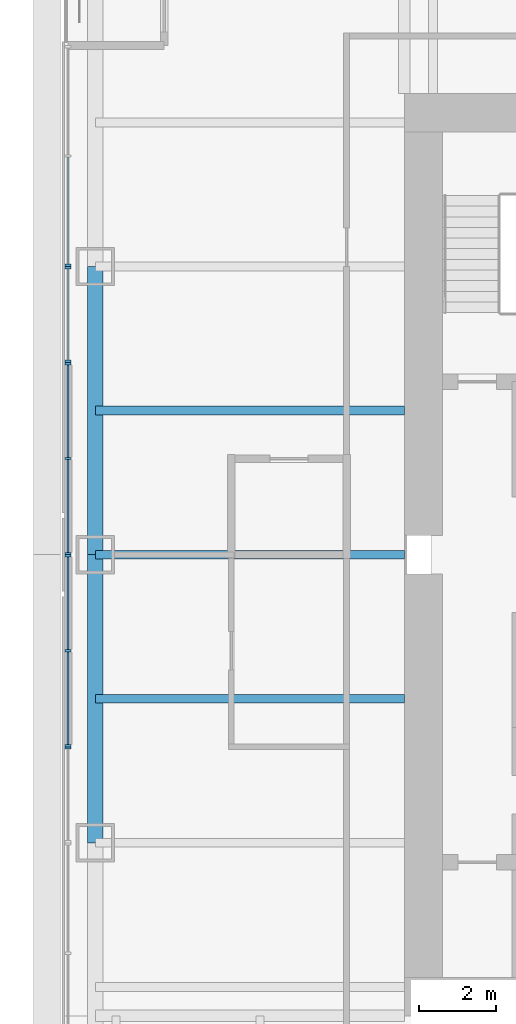
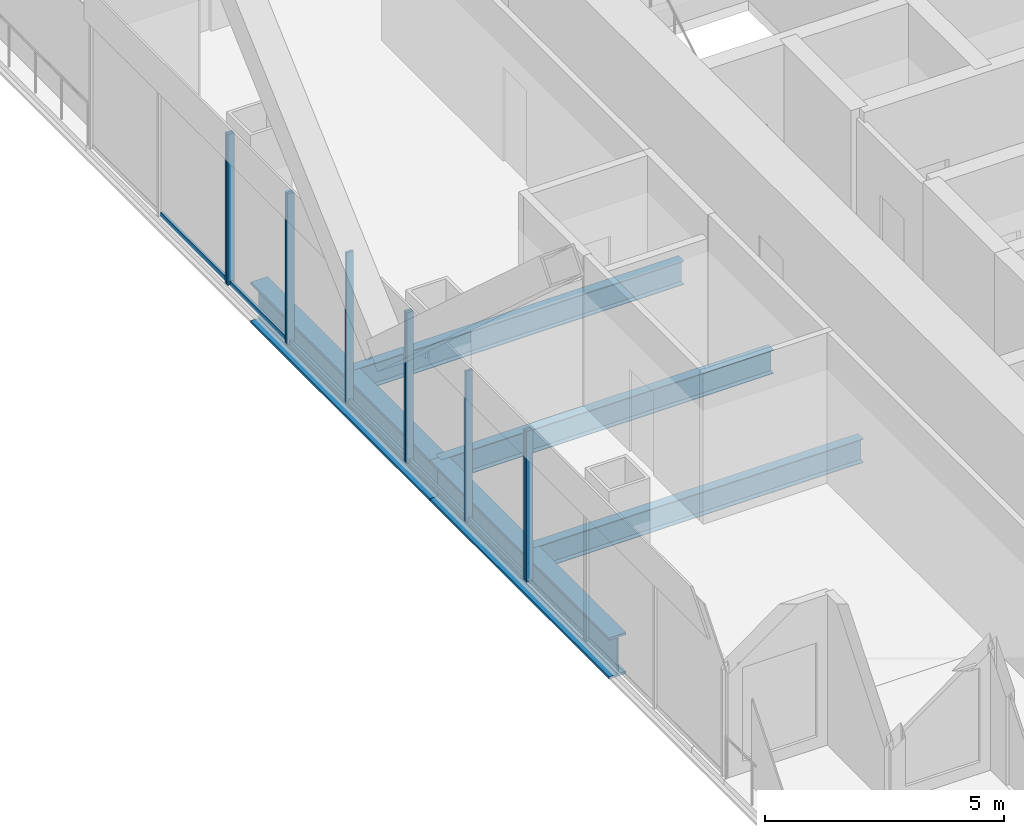
# One storey, part 5 of 19: 16 members, 5 beams, 5 elements without a shape of their own.
"""IFC4 building model written with IfcOpenShell, lengths in metres."""

from ifc_helpers import new_model, si_unit, direction, frame, origin, origin_2d, place, context, subcontext, project, spatial, rectangle, i_section, extrude, material, material_profile, profile_set, type_object, element, aggregate, save


model = new_model("IFC4")

# Units and contexts
model_context = context("Model", 3, precision=1e-05, world=origin(), true_north=direction((0.0, 1.0)))
body_context = subcontext(model_context, "Body", "Model", "MODEL_VIEW")
ifc_project = project(units=[si_unit("LENGTHUNIT", "METRE"), si_unit("AREAUNIT", "SQUARE_METRE"), si_unit("VOLUMEUNIT", "CUBIC_METRE"), si_unit("PLANEANGLEUNIT", "RADIAN"), si_unit("MASSUNIT", "GRAM", prefix="KILO")], contexts=[model_context])

# Site, building, storey
site_placement = place(None, origin())
site = spatial("IfcSite", under=ifc_project, at=site_placement, CompositionType="ELEMENT")
building_placement = place(site_placement, origin())
building = spatial("IfcBuilding", under=site, at=building_placement, Name="Tarangal Relay Tower", CompositionType="ELEMENT")
storey_placement = place(building_placement, frame((0.0, 0.0, 275.89990234375)))
storey = spatial("IfcBuildingStorey", under=building, at=storey_placement, Name="L60", CompositionType="ELEMENT", Elevation=275.89990234375)

# Beams
ifc_material_1 = material(Name="Steel ASTM A992", Category="steel")
ifc_material_profile_1 = material_profile(ifc_material_1, i_section(OverallWidth=0.41162109375, OverallDepth=1.049072265625, WebThickness=0.033935546875, FlangeThickness=0.059814453125, at=origin_2d()), Name="W40X431")
ifc_profile_set_1 = profile_set([ifc_material_profile_1], Name="Steel ASTM A992")
beam_type_1 = type_object("IfcBeamType", Name="Edge girder W40X431", PredefinedType="SPANDREL", material=ifc_profile_set_1)
for number, where, z_axis, x_axis, name in (
    (1, (-20.0400390625, -7.5, -0.67431640625), (0.0, 1.0, 0.0), (-1.0, 0.0, 0.0), "Edge girder EG1 W L60"),
    (2, (-20.0400390625, 0.0, -0.67431640625), (0.0, 1.0, 0.0), (-1.0, 0.0, 0.0), "Edge girder EG1 W L60"),
):
    element("IfcBeam", number, at=place(storey_placement, frame(where, z_axis=z_axis, x_axis=x_axis)), inside=storey, type_object=beam_type_1, Name=name, PredefinedType="SPANDREL", context=body_context, shape_type="SweptSolid", body=[
        extrude(i_section(OverallWidth=0.41162109375, OverallDepth=1.049072265625, WebThickness=0.033935546875, FlangeThickness=0.059814453125, at=origin_2d()), origin(), (0.0, 0.0, 1.0), 7.5),
    ])
ifc_material_profile_2 = material_profile(ifc_material_1, i_section(OverallWidth=0.228271484375, OverallDepth=0.607177734375, WebThickness=0.01123046875, FlangeThickness=0.017333984375, at=origin_2d()), Name="W24X76")
ifc_profile_set_2 = profile_set([ifc_material_profile_2], Name="Steel ASTM A992")
beam_type_2 = type_object("IfcBeamType", Name="Floor beam W24X76", PredefinedType="BEAM", material=ifc_profile_set_2)
for number, where, z_axis, x_axis, name in (
    (3, (-12.0, -3.75, -0.453369140625), (-1.0, 0.0, 0.0), (0.0, -1.0, 0.0), "Floor beam RB5 W L60"),
    (4, (-12.0, 0.0, -0.453369140625), (-1.0, 0.0, 0.0), (0.0, -1.0, 0.0), "Floor beam RB5 W L60"),
    (5, (-12.0, 3.75, -0.453369140625), (-1.0, 0.0, 0.0), (0.0, -1.0, 0.0), "Floor beam RB5 W L60"),
):
    element("IfcBeam", number, at=place(storey_placement, frame(where, z_axis=z_axis, x_axis=x_axis)), inside=storey, type_object=beam_type_2, Name=name, PredefinedType="BEAM", context=body_context, shape_type="SweptSolid", body=[
        extrude(i_section(OverallWidth=0.228271484375, OverallDepth=0.607177734375, WebThickness=0.01123046875, FlangeThickness=0.017333984375, at=origin_2d()), origin(), (0.0, 0.0, 1.0), 8.0400390625),
    ])

# Curtain wall, member
ifc_material_2 = material(Name="Unitised curtain wall, dark glass and black aluminium", Category="aluminium")
curtain_wall_type_1 = type_object("IfcCurtainWallType", Name="Curtain wall CW-B", PredefinedType="USERDEFINED", material=ifc_material_2)
curtain_wall_1_placement = place(storey_placement, origin())
curtain_wall_1 = element("IfcCurtainWall", 6, at=curtain_wall_1_placement, inside=storey, type_object=curtain_wall_type_1, Name="Curtain wall CW-B W facade L60", ObjectType="UNITISED CURTAIN WALL", PredefinedType="USERDEFINED")
ifc_material_3 = material(Name="Black anodised aluminium mullion", Category="aluminium")
ifc_material_profile_3 = material_profile(ifc_material_3, rectangle(XDim=0.159912109375, YDim=0.06005859375, at=origin_2d()), Name="CW-BM 60X160")
ifc_profile_set_3 = profile_set([ifc_material_profile_3], Name="Black anodised aluminium mullion")
member_type_1 = type_object("IfcMemberType", Name="Mullion CW-B 60 x 160", PredefinedType="MULLION", material=ifc_profile_set_3)
member_1_placement = place(storey_placement, frame((-20.75, -5.030029296875, 0.0), z_axis=(0.0, 0.0, 1.0), x_axis=(-1.0, 0.0, 0.0)))
member_1 = element("IfcMember", 7, at=member_1_placement, type_object=member_type_1, Name="CW-B mullion 2", PredefinedType="MULLION", context=body_context, shape_type="SweptSolid", body=[
    extrude(rectangle(XDim=0.159912109375, YDim=0.06005859375, at=origin_2d()), origin(), (0.0, 0.0, 1.0), 3.85009765625),
])
aggregate(curtain_wall_1, [member_1])

# Curtain wall, members
curtain_wall_2_placement = place(storey_placement, origin())
curtain_wall_2 = element("IfcCurtainWall", 8, at=curtain_wall_2_placement, inside=storey, type_object=curtain_wall_type_1, Name="Curtain wall CW-B W facade L60", ObjectType="UNITISED CURTAIN WALL", PredefinedType="USERDEFINED")
member_2_placement = place(storey_placement, frame((-20.75, 5.030029296875, 0.0), z_axis=(0.0, 0.0, 1.0), x_axis=(-1.0, 0.0, 0.0)))
member_2 = element("IfcMember", 9, at=member_2_placement, type_object=member_type_1, Name="CW-B mullion 1", PredefinedType="MULLION", context=body_context, shape_type="SweptSolid", body=[
    extrude(rectangle(XDim=0.159912109375, YDim=0.06005859375, at=origin_2d()), origin(), (0.0, 0.0, 1.0), 3.85009765625),
])
member_3_placement = place(storey_placement, frame((-20.75, 7.469970703125, 0.0), z_axis=(0.0, 0.0, 1.0), x_axis=(-1.0, 0.0, 0.0)))
member_3 = element("IfcMember", 10, at=member_3_placement, type_object=member_type_1, Name="CW-B mullion 2", PredefinedType="MULLION", context=body_context, shape_type="SweptSolid", body=[
    extrude(rectangle(XDim=0.159912109375, YDim=0.06005859375, at=origin_2d()), origin(), (0.0, 0.0, 1.0), 3.85009765625),
])

# Curtain wall, member
curtain_wall_3_placement = place(storey_placement, origin())
curtain_wall_3 = element("IfcCurtainWall", 11, at=curtain_wall_3_placement, inside=storey, type_object=curtain_wall_type_1, Name="Curtain wall CW-B W facade L60", ObjectType="UNITISED CURTAIN WALL", PredefinedType="USERDEFINED")
member_4_placement = place(storey_placement, frame((-20.75, 7.530029296875, 0.0), z_axis=(0.0, 0.0, 1.0), x_axis=(-1.0, 0.0, 0.0)))
member_4 = element("IfcMember", 12, at=member_4_placement, type_object=member_type_1, Name="CW-B mullion 1", PredefinedType="MULLION", context=body_context, shape_type="SweptSolid", body=[
    extrude(rectangle(XDim=0.159912109375, YDim=0.06005859375, at=origin_2d()), origin(), (0.0, 0.0, 1.0), 3.85009765625),
])

# Curtain wall, members
ifc_material_4 = material(Name="Unitised curtain wall frame, black aluminium, with metal clad infill walls", Category="aluminium")
curtain_wall_type_2 = type_object("IfcCurtainWallType", Name="Curtain wall CW-BO", PredefinedType="USERDEFINED", material=ifc_material_4)
curtain_wall_4_placement = place(storey_placement, origin())
curtain_wall_4 = element("IfcCurtainWall", 13, at=curtain_wall_4_placement, inside=storey, type_object=curtain_wall_type_2, Name="Curtain wall CW-BO W facade L60", ObjectType="UNITISED CURTAIN WALL", PredefinedType="USERDEFINED")
ifc_material_profile_4 = material_profile(ifc_material_3, rectangle(XDim=0.159912109375, YDim=0.06005859375, at=origin_2d()), Name="CW-BOM 60X160")
ifc_profile_set_4 = profile_set([ifc_material_profile_4], Name="Black anodised aluminium mullion")
member_type_2 = type_object("IfcMemberType", Name="Mullion CW-BO 60 x 160", PredefinedType="MULLION", material=ifc_profile_set_4)
member_5_placement = place(storey_placement, frame((-20.75, -4.969970703125, 0.0), z_axis=(0.0, 0.0, 1.0), x_axis=(-1.0, 0.0, 0.0)))
member_5 = element("IfcMember", 14, at=member_5_placement, type_object=member_type_2, Name="CW-BO mullion 1", PredefinedType="MULLION", context=body_context, shape_type="SweptSolid", body=[
    extrude(rectangle(XDim=0.159912109375, YDim=0.06005859375, at=origin_2d()), origin(), (0.0, 0.0, 1.0), 3.85009765625),
])
member_6_placement = place(storey_placement, frame((-20.75, -2.5, 0.0), z_axis=(0.0, 0.0, 1.0), x_axis=(-1.0, 0.0, 0.0)))
member_6 = element("IfcMember", 15, at=member_6_placement, type_object=member_type_2, Name="CW-BO mullion 2", PredefinedType="MULLION", context=body_context, shape_type="SweptSolid", body=[
    extrude(rectangle(XDim=0.159912109375, YDim=0.06005859375, at=origin_2d()), origin(), (0.0, 0.0, 1.0), 3.85009765625),
])
member_7_placement = place(storey_placement, frame((-20.75, -0.030029296875, 0.0), z_axis=(0.0, 0.0, 1.0), x_axis=(-1.0, 0.0, 0.0)))
member_7 = element("IfcMember", 16, at=member_7_placement, type_object=member_type_2, Name="CW-BO mullion 3", PredefinedType="MULLION", context=body_context, shape_type="SweptSolid", body=[
    extrude(rectangle(XDim=0.159912109375, YDim=0.06005859375, at=origin_2d()), origin(), (0.0, 0.0, 1.0), 3.85009765625),
])

curtain_wall_5_placement = place(storey_placement, origin())
curtain_wall_5 = element("IfcCurtainWall", 17, at=curtain_wall_5_placement, inside=storey, type_object=curtain_wall_type_2, Name="Curtain wall CW-BO W facade L60", ObjectType="UNITISED CURTAIN WALL", PredefinedType="USERDEFINED")
member_8_placement = place(storey_placement, frame((-20.75, 0.030029296875, 0.0), z_axis=(0.0, 0.0, 1.0), x_axis=(-1.0, 0.0, 0.0)))
member_8 = element("IfcMember", 18, at=member_8_placement, type_object=member_type_2, Name="CW-BO mullion 1", PredefinedType="MULLION", context=body_context, shape_type="SweptSolid", body=[
    extrude(rectangle(XDim=0.159912109375, YDim=0.06005859375, at=origin_2d()), origin(), (0.0, 0.0, 1.0), 3.85009765625),
])
member_9_placement = place(storey_placement, frame((-20.75, 2.5, 0.0), z_axis=(0.0, 0.0, 1.0), x_axis=(-1.0, 0.0, 0.0)))
member_9 = element("IfcMember", 19, at=member_9_placement, type_object=member_type_2, Name="CW-BO mullion 2", PredefinedType="MULLION", context=body_context, shape_type="SweptSolid", body=[
    extrude(rectangle(XDim=0.159912109375, YDim=0.06005859375, at=origin_2d()), origin(), (0.0, 0.0, 1.0), 3.85009765625),
])
member_10_placement = place(storey_placement, frame((-20.75, 4.969970703125, 0.0), z_axis=(0.0, 0.0, 1.0), x_axis=(-1.0, 0.0, 0.0)))
member_10 = element("IfcMember", 20, at=member_10_placement, type_object=member_type_2, Name="CW-BO mullion 3", PredefinedType="MULLION", context=body_context, shape_type="SweptSolid", body=[
    extrude(rectangle(XDim=0.159912109375, YDim=0.06005859375, at=origin_2d()), origin(), (0.0, 0.0, 1.0), 3.85009765625),
])

# Member
ifc_material_5 = material(Name="Black anodised aluminium transom", Category="aluminium")
ifc_material_profile_5 = material_profile(ifc_material_5, rectangle(XDim=0.06005859375, YDim=0.1298828125, at=origin_2d()), Name="CW-BT 60X130")
ifc_profile_set_5 = profile_set([ifc_material_profile_5], Name="Black anodised aluminium transom")
member_type_3 = type_object("IfcMemberType", Name="Transom CW-B 60 x 130", PredefinedType="USERDEFINED", material=ifc_profile_set_5)
member_11_placement = place(storey_placement, frame((-20.75, 5.06005859375, 0.030029296875), z_axis=(0.0, 1.0, 0.0), x_axis=(-1.0, 0.0, 0.0)))
member_11 = element("IfcMember", 21, at=member_11_placement, type_object=member_type_3, Name="CW-B transom 1.1", ObjectType="TRANSOM", PredefinedType="USERDEFINED", context=body_context, shape_type="SweptSolid", body=[
    extrude(rectangle(XDim=0.06005859375, YDim=0.1298828125, at=origin_2d()), origin(), (0.0, 0.0, 1.0), 2.3798828125),
])

aggregate(curtain_wall_2, [member_2, member_3, member_11])

member_12_placement = place(storey_placement, frame((-20.75, 7.56005859375, 0.030029296875), z_axis=(0.0, 1.0, 0.0), x_axis=(-1.0, 0.0, 0.0)))
member_12 = element("IfcMember", 22, at=member_12_placement, type_object=member_type_3, Name="CW-B transom 1.1", ObjectType="TRANSOM", PredefinedType="USERDEFINED", context=body_context, shape_type="SweptSolid", body=[
    extrude(rectangle(XDim=0.06005859375, YDim=0.1298828125, at=origin_2d()), origin(), (0.0, 0.0, 1.0), 2.784912109375),
])

aggregate(curtain_wall_3, [member_4, member_12])

ifc_material_profile_6 = material_profile(ifc_material_5, rectangle(XDim=0.06005859375, YDim=0.1298828125, at=origin_2d()), Name="CW-BOT 60X130")
ifc_profile_set_6 = profile_set([ifc_material_profile_6], Name="Black anodised aluminium transom")
member_type_4 = type_object("IfcMemberType", Name="Transom CW-BO 60 x 130", PredefinedType="USERDEFINED", material=ifc_profile_set_6)
member_13_placement = place(storey_placement, frame((-20.75, -4.93994140625, 0.030029296875), z_axis=(0.0, 1.0, 0.0), x_axis=(-1.0, 0.0, 0.0)))
member_13 = element("IfcMember", 23, at=member_13_placement, type_object=member_type_4, Name="CW-BO transom 1.1", ObjectType="TRANSOM", PredefinedType="USERDEFINED", context=body_context, shape_type="SweptSolid", body=[
    extrude(rectangle(XDim=0.06005859375, YDim=0.1298828125, at=origin_2d()), origin(), (0.0, 0.0, 1.0), 2.409912109375),
])

member_14_placement = place(storey_placement, frame((-20.75, -2.469970703125, 0.030029296875), z_axis=(0.0, 1.0, 0.0), x_axis=(-1.0, 0.0, 0.0)))
member_14 = element("IfcMember", 24, at=member_14_placement, type_object=member_type_4, Name="CW-BO transom 2.1", ObjectType="TRANSOM", PredefinedType="USERDEFINED", context=body_context, shape_type="SweptSolid", body=[
    extrude(rectangle(XDim=0.06005859375, YDim=0.1298828125, at=origin_2d()), origin(), (0.0, 0.0, 1.0), 2.409912109375),
])

aggregate(curtain_wall_4, [member_5, member_6, member_7, member_13, member_14])

member_15_placement = place(storey_placement, frame((-20.75, 0.06005859375, 0.030029296875), z_axis=(0.0, 1.0, 0.0), x_axis=(-1.0, 0.0, 0.0)))
member_15 = element("IfcMember", 25, at=member_15_placement, type_object=member_type_4, Name="CW-BO transom 1.1", ObjectType="TRANSOM", PredefinedType="USERDEFINED", context=body_context, shape_type="SweptSolid", body=[
    extrude(rectangle(XDim=0.06005859375, YDim=0.1298828125, at=origin_2d()), origin(), (0.0, 0.0, 1.0), 2.409912109375),
])

member_16_placement = place(storey_placement, frame((-20.75, 2.530029296875, 0.030029296875), z_axis=(0.0, 1.0, 0.0), x_axis=(-1.0, 0.0, 0.0)))
member_16 = element("IfcMember", 26, at=member_16_placement, type_object=member_type_4, Name="CW-BO transom 2.1", ObjectType="TRANSOM", PredefinedType="USERDEFINED", context=body_context, shape_type="SweptSolid", body=[
    extrude(rectangle(XDim=0.06005859375, YDim=0.1298828125, at=origin_2d()), origin(), (0.0, 0.0, 1.0), 2.409912109375),
])

aggregate(curtain_wall_5, [member_8, member_9, member_10, member_15, member_16])

save(model, "model.ifc")
